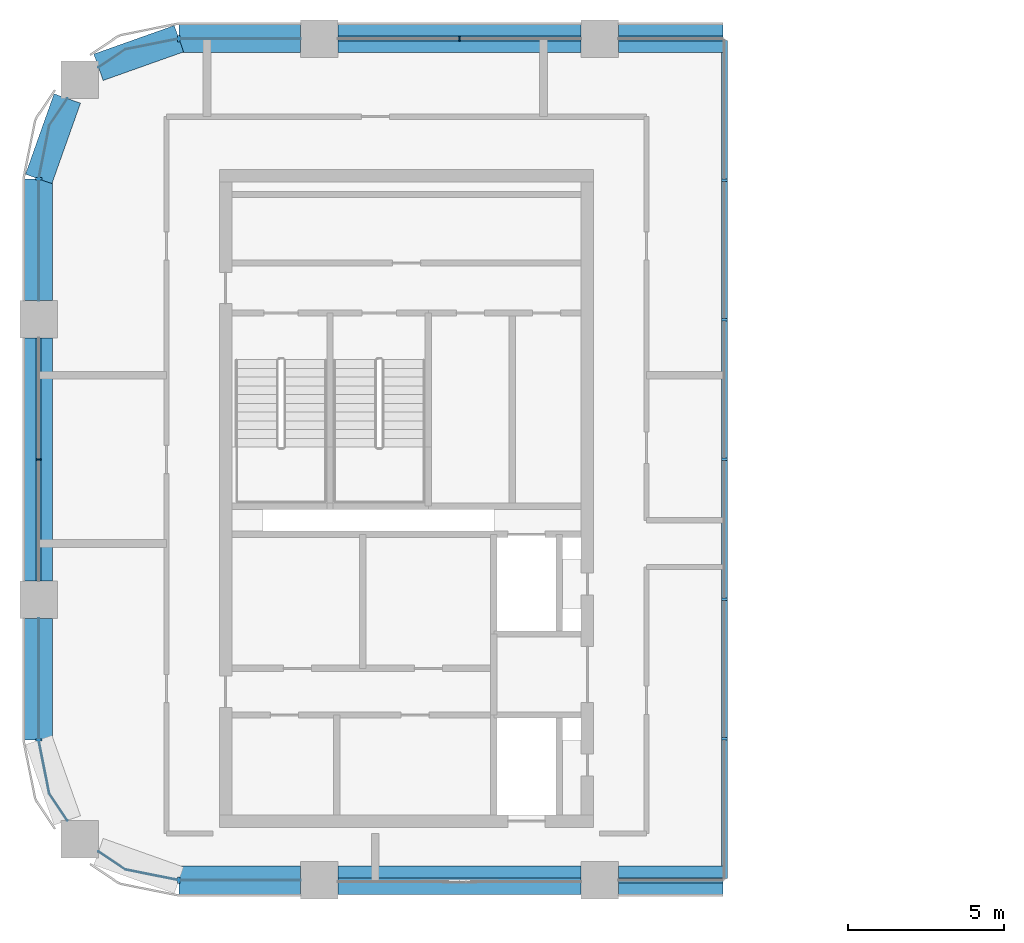
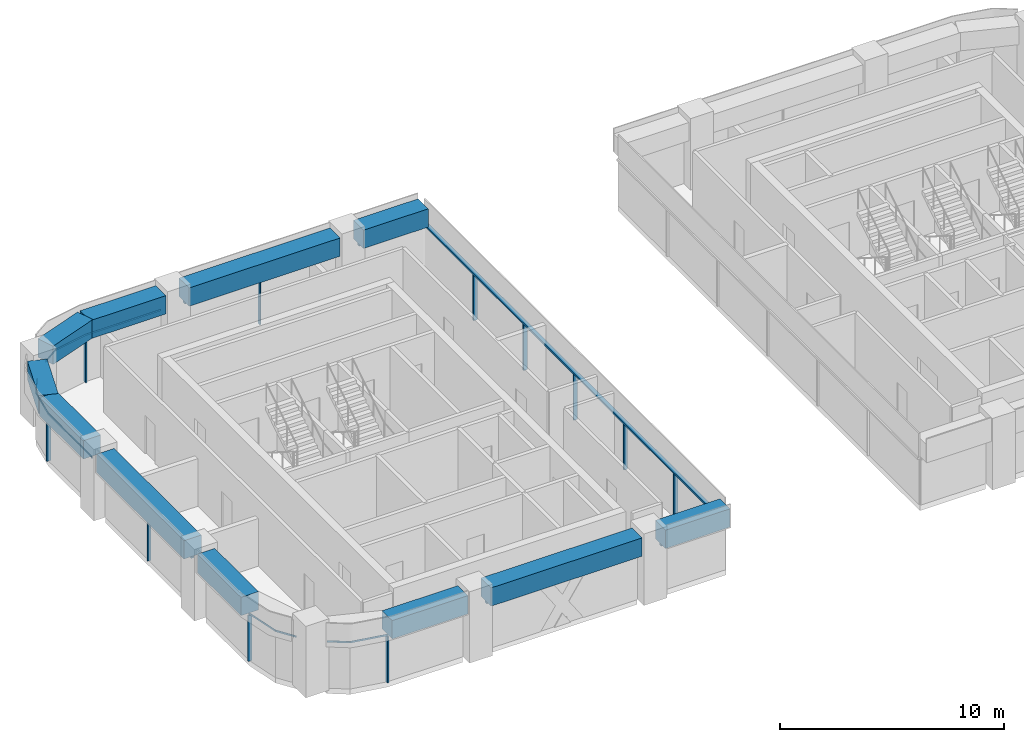
# One storey, part 2 of 12: 21 members, 11 beams, 10 elements without a shape of their own.
"""IFC4 building model written with IfcOpenShell, lengths in metres."""

from ifc_helpers import new_model, si_unit, direction, frame, origin, origin_2d, place, context, subcontext, project, spatial, polyline, rectangle, outline, extrude, material, material_profile, profile_set, type_object, element, aggregate, save


model = new_model("IFC4")

# Units and contexts
model_context = context("Model", 3, precision=1e-05, world=origin(), true_north=direction((0.0, 1.0)))
body_context = subcontext(model_context, "Body", "Model", "MODEL_VIEW")
ifc_project = project(units=[si_unit("LENGTHUNIT", "METRE"), si_unit("AREAUNIT", "SQUARE_METRE"), si_unit("VOLUMEUNIT", "CUBIC_METRE"), si_unit("PLANEANGLEUNIT", "RADIAN"), si_unit("MASSUNIT", "GRAM", prefix="KILO")], contexts=[model_context])

# Site, building, storey
site_placement = place(None, origin())
site = spatial("IfcSite", under=ifc_project, at=site_placement, CompositionType="ELEMENT")
building_placement = place(site_placement, origin())
building = spatial("IfcBuilding", under=site, at=building_placement, Name="Tessera Arch", CompositionType="ELEMENT")
storey_placement = place(building_placement, frame((0.0, 0.0, 207.199951171875)))
storey = spatial("IfcBuildingStorey", under=building, at=storey_placement, Name="L49", CompositionType="ELEMENT", Elevation=207.199951171875)

# Curtain wall, member
ifc_material_1 = material(Name="CW1 curtain wall")
curtain_wall_type_1 = type_object("IfcCurtainWallType", Name="CW1 curtain wall", PredefinedType="NOTDEFINED", material=ifc_material_1)
curtain_wall_1_placement = place(storey_placement, origin())
curtain_wall_1 = element("IfcCurtainWall", 1, at=curtain_wall_1_placement, inside=storey, type_object=curtain_wall_type_1, Name="CW1 curtain wall N54.0/1 L49", PredefinedType="NOTDEFINED")
ifc_material_2 = material(Name="Anodised aluminium pale metal", Category="aluminium")
ifc_material_profile_1 = material_profile(ifc_material_2, rectangle(XDim=0.159912109375, YDim=0.06005859375, at=origin_2d()), Name="AL 60x160")
ifc_profile_set_1 = profile_set([ifc_material_profile_1], Name="Anodised aluminium pale metal")
member_type_1 = type_object("IfcMemberType", Name="CW1 mullion", PredefinedType="MULLION", material=ifc_profile_set_1)
member_1_placement = place(storey_placement, frame((13.5, 54.0, 0.0), z_axis=(0.0, 0.0, 1.0), x_axis=(0.0, -1.0, 0.0)))
member_1 = element("IfcMember", 2, at=member_1_placement, type_object=member_type_1, Name="CW1 mullion N54.0/1 1", PredefinedType="MULLION", context=body_context, shape_type="SweptSolid", body=[
    extrude(rectangle(XDim=0.159912109375, YDim=0.06005859375, at=origin_2d()), origin(), (0.0, 0.0, 1.0), 2.5),
])

curtain_wall_2_placement = place(storey_placement, origin())
curtain_wall_2 = element("IfcCurtainWall", 3, at=curtain_wall_2_placement, inside=storey, type_object=curtain_wall_type_1, Name="CW1 curtain wall W0.27/1 L49", PredefinedType="NOTDEFINED")
member_2_placement = place(storey_placement, frame((0.0, 40.5, 0.0), z_axis=(0.0, 0.0, 1.0), x_axis=(1.0, 0.0, 0.0)))
member_2 = element("IfcMember", 4, at=member_2_placement, type_object=member_type_1, Name="CW1 mullion W0.27/1 1", PredefinedType="MULLION", context=body_context, shape_type="SweptSolid", body=[
    extrude(rectangle(XDim=0.159912109375, YDim=0.06005859375, at=origin_2d()), origin(), (0.0, 0.0, 1.0), 2.5),
])

curtain_wall_3_placement = place(storey_placement, origin())
curtain_wall_3 = element("IfcCurtainWall", 5, at=curtain_wall_3_placement, inside=storey, type_object=curtain_wall_type_1, Name="CW1 curtain wall S27.0/1 L49", PredefinedType="NOTDEFINED")
ifc_material_3 = material(Name="Anodised aluminium pale metal", Category="aluminium")
ifc_material_profile_2 = material_profile(ifc_material_3, rectangle(XDim=0.159912109375, YDim=0.10009765625, at=origin_2d()), Name="AL 160x100")
ifc_profile_set_2 = profile_set([ifc_material_profile_2], Name="Anodised aluminium pale metal")
member_type_2 = type_object("IfcMemberType", Name="CW1 transom", PredefinedType="USERDEFINED", material=ifc_profile_set_2)
member_3_placement = place(storey_placement, frame((18.60009765625, 27.0, 2.550048828125), z_axis=(1.0, 0.0, 0.0), x_axis=(0.0, 1.0, 0.0)))
member_3 = element("IfcMember", 6, at=member_3_placement, type_object=member_type_2, Name="CW1 transom S27.0/1 1.1", ObjectType="TRANSOM", PredefinedType="USERDEFINED", context=body_context, shape_type="SweptSolid", body=[
    extrude(rectangle(XDim=0.159912109375, YDim=0.10009765625, at=origin_2d()), origin(), (0.0, 0.0, 1.0), 3.349853515625),
])
aggregate(curtain_wall_3, [member_3])

curtain_wall_4_placement = place(storey_placement, origin())
curtain_wall_4 = element("IfcCurtainWall", 7, at=curtain_wall_4_placement, inside=storey, type_object=curtain_wall_type_1, Name="CW1 curtain wall N54.0/0 L49", PredefinedType="NOTDEFINED")
member_4_placement = place(storey_placement, frame((21.949951171875, 54.0, 2.550048828125), z_axis=(-1.0, 0.0, 0.0), x_axis=(0.0, -1.0, 0.0)))
member_4 = element("IfcMember", 8, at=member_4_placement, type_object=member_type_2, Name="CW1 transom N54.0/0 1.1", ObjectType="TRANSOM", PredefinedType="USERDEFINED", context=body_context, shape_type="SweptSolid", body=[
    extrude(rectangle(XDim=0.159912109375, YDim=0.10009765625, at=origin_2d()), origin(), (0.0, 0.0, 1.0), 3.349853515625),
])
aggregate(curtain_wall_4, [member_4])

# Member
member_5_placement = place(storey_placement, frame((17.39990234375, 54.0, 2.550048828125), z_axis=(-1.0, 0.0, 0.0), x_axis=(0.0, -1.0, 0.0)))
member_5 = element("IfcMember", 9, at=member_5_placement, type_object=member_type_2, Name="CW1 transom N54.0/1 1.1", ObjectType="TRANSOM", PredefinedType="USERDEFINED", context=body_context, shape_type="SweptSolid", body=[
    extrude(rectangle(XDim=0.159912109375, YDim=0.10009765625, at=origin_2d()), origin(), (0.0, 0.0, 1.0), 7.7998046875),
])

aggregate(curtain_wall_1, [member_1, member_5])

member_6_placement = place(storey_placement, frame((0.0, 44.39990234375, 2.550048828125), z_axis=(0.0, -1.0, 0.0), x_axis=(1.0, 0.0, 0.0)))
member_6 = element("IfcMember", 10, at=member_6_placement, type_object=member_type_2, Name="CW1 transom W0.27/1 1.1", ObjectType="TRANSOM", PredefinedType="USERDEFINED", context=body_context, shape_type="SweptSolid", body=[
    extrude(rectangle(XDim=0.159912109375, YDim=0.10009765625, at=origin_2d()), origin(), (0.0, 0.0, 1.0), 7.7998046875),
])

aggregate(curtain_wall_2, [member_2, member_6])

# Curtain wall, member
ifc_material_4 = material(Name="CW2 curtain wall")
curtain_wall_type_2 = type_object("IfcCurtainWallType", Name="CW2 curtain wall", PredefinedType="NOTDEFINED", material=ifc_material_4)
curtain_wall_5_placement = place(storey_placement, origin())
curtain_wall_5 = element("IfcCurtainWall", 11, at=curtain_wall_5_placement, inside=storey, type_object=curtain_wall_type_2, Name="CW2 curtain wall N54.0/2 L49", PredefinedType="NOTDEFINED")
ifc_material_5 = material(Name="Anodised aluminium pale metal", Category="aluminium")
ifc_material_profile_3 = material_profile(ifc_material_5, rectangle(XDim=0.199951171875, YDim=0.080078125, at=origin_2d()), Name="AL 80x200")
ifc_profile_set_3 = profile_set([ifc_material_profile_3], Name="Anodised aluminium pale metal")
member_type_3 = type_object("IfcMemberType", Name="CW2 mullion", PredefinedType="MULLION", material=ifc_profile_set_3)
member_7_placement = place(storey_placement, frame((4.5, 54.0, 0.0), z_axis=(0.0, 0.0, 1.0), x_axis=(0.0, -1.0, 0.0)))
member_7 = element("IfcMember", 12, at=member_7_placement, type_object=member_type_3, Name="CW2 mullion N54.0/2 1", PredefinedType="MULLION", context=body_context, shape_type="SweptSolid", body=[
    extrude(rectangle(XDim=0.199951171875, YDim=0.080078125, at=origin_2d()), origin(), (0.0, 0.0, 1.0), 2.5),
])

curtain_wall_6_placement = place(storey_placement, origin())
curtain_wall_6 = element("IfcCurtainWall", 13, at=curtain_wall_6_placement, inside=storey, type_object=curtain_wall_type_2, Name="CW2 curtain wall W0.27/0 L49", PredefinedType="NOTDEFINED")
member_8_placement = place(storey_placement, frame((0.0, 49.5, 0.0), z_axis=(0.0, 0.0, 1.0), x_axis=(1.0, 0.0, 0.0)))
member_8 = element("IfcMember", 14, at=member_8_placement, type_object=member_type_3, Name="CW2 mullion W0.27/0 1", PredefinedType="MULLION", context=body_context, shape_type="SweptSolid", body=[
    extrude(rectangle(XDim=0.199951171875, YDim=0.080078125, at=origin_2d()), origin(), (0.0, 0.0, 1.0), 2.5),
])

curtain_wall_7_placement = place(storey_placement, origin())
curtain_wall_7 = element("IfcCurtainWall", 15, at=curtain_wall_7_placement, inside=storey, type_object=curtain_wall_type_2, Name="CW2 curtain wall W0.27/2 L49", PredefinedType="NOTDEFINED")
member_9_placement = place(storey_placement, frame((0.0, 31.5, 0.0), z_axis=(0.0, 0.0, 1.0), x_axis=(1.0, 0.0, 0.0)))
member_9 = element("IfcMember", 16, at=member_9_placement, type_object=member_type_3, Name="CW2 mullion W0.27/2 1", PredefinedType="MULLION", context=body_context, shape_type="SweptSolid", body=[
    extrude(rectangle(XDim=0.199951171875, YDim=0.080078125, at=origin_2d()), origin(), (0.0, 0.0, 1.0), 2.5),
])

curtain_wall_8_placement = place(storey_placement, origin())
curtain_wall_8 = element("IfcCurtainWall", 17, at=curtain_wall_8_placement, inside=storey, type_object=curtain_wall_type_2, Name="CW2 curtain wall S27.0/2 L49", PredefinedType="NOTDEFINED")
member_10_placement = place(storey_placement, frame((4.5, 27.0, 0.0), z_axis=(0.0, 0.0, 1.0), x_axis=(0.0, 1.0, 0.0)))
member_10 = element("IfcMember", 18, at=member_10_placement, type_object=member_type_3, Name="CW2 mullion S27.0/2 1", PredefinedType="MULLION", context=body_context, shape_type="SweptSolid", body=[
    extrude(rectangle(XDim=0.199951171875, YDim=0.080078125, at=origin_2d()), origin(), (0.0, 0.0, 1.0), 2.5),
])

# Member
ifc_material_6 = material(Name="Anodised aluminium pale metal", Category="aluminium")
ifc_material_profile_4 = material_profile(ifc_material_6, rectangle(XDim=0.199951171875, YDim=0.10009765625, at=origin_2d()), Name="AL 200x100")
ifc_profile_set_4 = profile_set([ifc_material_profile_4], Name="Anodised aluminium pale metal")
member_type_4 = type_object("IfcMemberType", Name="CW2 transom", PredefinedType="USERDEFINED", material=ifc_profile_set_4)
member_11_placement = place(storey_placement, frame((0.0, 0.0, 2.5)))
member_11 = element("IfcMember", 19, at=member_11_placement, type_object=member_type_4, Name="CW2 transom N54.0/2 1", ObjectType="TRANSOM", PredefinedType="USERDEFINED", context=body_context, shape_type="SweptSolid", body=[
    extrude(outline(polyline([(4.5009765625, 53.989990234375), (8.39990234375, 53.989990234375), (8.39990234375, 54.010009765625), (4.4990234375, 54.010009765625), (2.77392578125, 53.6669921875), (1.912353515625, 53.09130859375), (1.923583984375, 53.07470703125), (2.78173828125, 53.648193359375), (4.5009765625, 53.989990234375)])), origin(), (0.0, 0.0, 1.0), 0.10009765625),
])

aggregate(curtain_wall_5, [member_7, member_11])

member_12_placement = place(storey_placement, frame((0.0, 0.0, 2.5)))
member_12 = element("IfcMember", 20, at=member_12_placement, type_object=member_type_4, Name="CW2 transom W0.27/0 1", ObjectType="TRANSOM", PredefinedType="USERDEFINED", context=body_context, shape_type="SweptSolid", body=[
    extrude(outline(polyline([(0.351806640625, 51.21826171875), (0.92529296875, 52.076416015625), (0.90869140625, 52.087646484375), (0.3330078125, 51.22607421875), (-0.010009765625, 49.5009765625), (-0.010009765625, 45.60009765625), (0.010009765625, 45.60009765625), (0.010009765625, 49.4990234375), (0.351806640625, 51.21826171875)])), origin(), (0.0, 0.0, 1.0), 0.10009765625),
])

aggregate(curtain_wall_6, [member_8, member_12])

member_13_placement = place(storey_placement, frame((0.0, 0.0, 2.5)))
member_13 = element("IfcMember", 21, at=member_13_placement, type_object=member_type_4, Name="CW2 transom W0.27/2 1", ObjectType="TRANSOM", PredefinedType="USERDEFINED", context=body_context, shape_type="SweptSolid", body=[
    extrude(outline(polyline([(0.010009765625, 31.5009765625), (0.010009765625, 35.39990234375), (-0.010009765625, 35.39990234375), (-0.010009765625, 31.4990234375), (0.3330078125, 29.77392578125), (0.90869140625, 28.912353515625), (0.92529296875, 28.923583984375), (0.351806640625, 29.78173828125), (0.010009765625, 31.5009765625)])), origin(), (0.0, 0.0, 1.0), 0.10009765625),
])

aggregate(curtain_wall_7, [member_9, member_13])

member_14_placement = place(storey_placement, frame((0.0, 0.0, 2.5)))
member_14 = element("IfcMember", 22, at=member_14_placement, type_object=member_type_4, Name="CW2 transom S27.0/2 1", ObjectType="TRANSOM", PredefinedType="USERDEFINED", context=body_context, shape_type="SweptSolid", body=[
    extrude(outline(polyline([(2.78173828125, 27.351806640625), (1.923583984375, 27.92529296875), (1.912353515625, 27.90869140625), (2.77392578125, 27.3330078125), (4.4990234375, 26.989990234375), (8.39990234375, 26.989990234375), (8.39990234375, 27.010009765625), (4.5009765625, 27.010009765625), (2.78173828125, 27.351806640625)])), origin(), (0.0, 0.0, 1.0), 0.10009765625),
])

aggregate(curtain_wall_8, [member_10, member_14])

# Curtain wall, member
ifc_material_7 = material(Name="CW3 curtain wall")
curtain_wall_type_3 = type_object("IfcCurtainWallType", Name="CW3 curtain wall", PredefinedType="NOTDEFINED", material=ifc_material_7)
curtain_wall_9_placement = place(storey_placement, origin())
curtain_wall_9 = element("IfcCurtainWall", 23, at=curtain_wall_9_placement, inside=storey, type_object=curtain_wall_type_3, Name="CW3 curtain wall S27.0/0 L49", PredefinedType="NOTDEFINED")
ifc_material_8 = material(Name="Anodised aluminium pale metal", Category="aluminium")
ifc_material_profile_5 = material_profile(ifc_material_8, rectangle(XDim=0.139892578125, YDim=0.10009765625, at=origin_2d()), Name="AL 140x100")
ifc_profile_set_5 = profile_set([ifc_material_profile_5], Name="Anodised aluminium pale metal")
member_type_5 = type_object("IfcMemberType", Name="CW3 transom", PredefinedType="USERDEFINED", material=ifc_profile_set_5)
member_15_placement = place(storey_placement, frame((9.60009765625, 27.0, 2.550048828125), z_axis=(1.0, 0.0, 0.0), x_axis=(0.0, 1.0, 0.0)))
member_15 = element("IfcMember", 24, at=member_15_placement, type_object=member_type_5, Name="CW3 transom S27.0/0 1.1", ObjectType="TRANSOM", PredefinedType="USERDEFINED", context=body_context, shape_type="SweptSolid", body=[
    extrude(rectangle(XDim=0.139892578125, YDim=0.10009765625, at=origin_2d()), origin(), (0.0, 0.0, 1.0), 7.7998046875),
])
aggregate(curtain_wall_9, [member_15])

# Curtain wall, members
ifc_material_9 = material(Name="CW5 curtain wall")
curtain_wall_type_4 = type_object("IfcCurtainWallType", Name="CW5 curtain wall", PredefinedType="NOTDEFINED", material=ifc_material_9)
curtain_wall_10_placement = place(storey_placement, origin())
curtain_wall_10 = element("IfcCurtainWall", 25, at=curtain_wall_10_placement, inside=storey, type_object=curtain_wall_type_4, Name="CW5 curtain wall E22.27/0 L49", PredefinedType="NOTDEFINED")
ifc_material_10 = material(Name="Anodised aluminium pale metal", Category="aluminium")
ifc_material_profile_6 = material_profile(ifc_material_10, rectangle(XDim=0.199951171875, YDim=0.080078125, at=origin_2d()), Name="AL 80x200")
ifc_profile_set_6 = profile_set([ifc_material_profile_6], Name="Anodised aluminium pale metal")
member_type_6 = type_object("IfcMemberType", Name="CW5 mullion", PredefinedType="MULLION", material=ifc_profile_set_6)
member_16_placement = place(storey_placement, frame((22.0, 31.533447265625, 0.0), z_axis=(0.0, 0.0, 1.0), x_axis=(-1.0, 0.0, 0.0)))
member_16 = element("IfcMember", 26, at=member_16_placement, type_object=member_type_6, Name="CW5 mullion E22.27/0 1", PredefinedType="MULLION", context=body_context, shape_type="SweptSolid", body=[
    extrude(rectangle(XDim=0.199951171875, YDim=0.080078125, at=origin_2d()), origin(), (0.0, 0.0, 1.0), 2.5),
])
member_17_placement = place(storey_placement, frame((22.0, 36.0166015625, 0.0), z_axis=(0.0, 0.0, 1.0), x_axis=(-1.0, 0.0, 0.0)))
member_17 = element("IfcMember", 27, at=member_17_placement, type_object=member_type_6, Name="CW5 mullion E22.27/0 2", PredefinedType="MULLION", context=body_context, shape_type="SweptSolid", body=[
    extrude(rectangle(XDim=0.199951171875, YDim=0.080078125, at=origin_2d()), origin(), (0.0, 0.0, 1.0), 2.5),
])
member_18_placement = place(storey_placement, frame((22.0, 40.5, 0.0), z_axis=(0.0, 0.0, 1.0), x_axis=(-1.0, 0.0, 0.0)))
member_18 = element("IfcMember", 28, at=member_18_placement, type_object=member_type_6, Name="CW5 mullion E22.27/0 3", PredefinedType="MULLION", context=body_context, shape_type="SweptSolid", body=[
    extrude(rectangle(XDim=0.199951171875, YDim=0.080078125, at=origin_2d()), origin(), (0.0, 0.0, 1.0), 2.5),
])
member_19_placement = place(storey_placement, frame((22.0, 44.9833984375, 0.0), z_axis=(0.0, 0.0, 1.0), x_axis=(-1.0, 0.0, 0.0)))
member_19 = element("IfcMember", 29, at=member_19_placement, type_object=member_type_6, Name="CW5 mullion E22.27/0 4", PredefinedType="MULLION", context=body_context, shape_type="SweptSolid", body=[
    extrude(rectangle(XDim=0.199951171875, YDim=0.080078125, at=origin_2d()), origin(), (0.0, 0.0, 1.0), 2.5),
])
member_20_placement = place(storey_placement, frame((22.0, 49.466552734375, 0.0), z_axis=(0.0, 0.0, 1.0), x_axis=(-1.0, 0.0, 0.0)))
member_20 = element("IfcMember", 30, at=member_20_placement, type_object=member_type_6, Name="CW5 mullion E22.27/0 5", PredefinedType="MULLION", context=body_context, shape_type="SweptSolid", body=[
    extrude(rectangle(XDim=0.199951171875, YDim=0.080078125, at=origin_2d()), origin(), (0.0, 0.0, 1.0), 2.5),
])
ifc_material_11 = material(Name="Anodised aluminium pale metal", Category="aluminium")
ifc_material_profile_7 = material_profile(ifc_material_11, rectangle(XDim=0.199951171875, YDim=0.10009765625, at=origin_2d()), Name="AL 200x100")
ifc_profile_set_7 = profile_set([ifc_material_profile_7], Name="Anodised aluminium pale metal")
member_type_7 = type_object("IfcMemberType", Name="CW5 transom", PredefinedType="USERDEFINED", material=ifc_profile_set_7)
member_21_placement = place(storey_placement, frame((22.0, 27.050048828125, 2.550048828125), z_axis=(0.0, 1.0, 0.0), x_axis=(-1.0, 0.0, 0.0)))
member_21 = element("IfcMember", 31, at=member_21_placement, type_object=member_type_7, Name="CW5 transom E22.27/0 1.1", ObjectType="TRANSOM", PredefinedType="USERDEFINED", context=body_context, shape_type="SweptSolid", body=[
    extrude(rectangle(XDim=0.199951171875, YDim=0.10009765625, at=origin_2d()), origin(), (0.0, 0.0, 1.0), 26.89990234375),
])
aggregate(curtain_wall_10, [member_16, member_17, member_18, member_19, member_20, member_21])

# Beams
ifc_material_12 = material(Name="Concrete C60/75", Category="concrete")
ifc_material_profile_8 = material_profile(ifc_material_12, rectangle(XDim=0.89990234375, YDim=1.0, at=origin_2d()), Name="RC spandrel beam 900 x 1000 Concrete C60/75")
ifc_profile_set_8 = profile_set([ifc_material_profile_8], Name="Concrete C60/75")
beam_type = type_object("IfcBeamType", Name="RC spandrel beam 900 x 1000 Concrete C60/75", PredefinedType="BEAM", material=ifc_profile_set_8)
beam_1_placement = place(storey_placement, frame((9.60009765625, 27.0, 3.10009765625), z_axis=(1.0, 0.0, 0.0), x_axis=(0.0, 1.0, 0.0)))
element("IfcBeam", 32, at=beam_1_placement, inside=storey, type_object=beam_type, Name="Spandrel beam L49 S27.0/0", PredefinedType="BEAM", context=body_context, shape_type="SweptSolid", body=[
    extrude(rectangle(XDim=0.89990234375, YDim=1.0, at=origin_2d()), origin(), (0.0, 0.0, 1.0), 7.7998046875),
])
for number, where, z_axis, x_axis, name in (
    (33, (18.60009765625, 27.0, 3.10009765625), (1.0, 0.0, 0.0), (0.0, 1.0, 0.0), "Spandrel beam L49 S27.0/1"),
    (34, (21.949951171875, 54.0, 3.10009765625), (-1.0, 0.0, 0.0), (0.0, -1.0, 0.0), "Spandrel beam L49 N54.0/0"),
):
    element("IfcBeam", number, at=place(storey_placement, frame(where, z_axis=z_axis, x_axis=x_axis)), inside=storey, type_object=beam_type, Name=name, PredefinedType="BEAM", context=body_context, shape_type="SweptSolid", body=[
        extrude(rectangle(XDim=0.89990234375, YDim=1.0, at=origin_2d()), origin(), (0.0, 0.0, 1.0), 3.349853515625),
    ])
beam_2_placement = place(storey_placement, frame((17.39990234375, 54.0, 3.10009765625), z_axis=(-1.0, 0.0, 0.0), x_axis=(0.0, -1.0, 0.0)))
element("IfcBeam", 35, at=beam_2_placement, inside=storey, type_object=beam_type, Name="Spandrel beam L49 N54.0/1", PredefinedType="BEAM", context=body_context, shape_type="SweptSolid", body=[
    extrude(rectangle(XDim=0.89990234375, YDim=1.0, at=origin_2d()), origin(), (0.0, 0.0, 1.0), 7.7998046875),
])
beam_3_placement = place(storey_placement, frame((8.39990234375, 54.0, 3.10009765625), z_axis=(-1.0, 0.0, 0.0), x_axis=(0.0, -1.0, 0.0)))
element("IfcBeam", 36, at=beam_3_placement, inside=storey, type_object=beam_type, Name="Spandrel beam L49 N54.0/2.1", PredefinedType="BEAM", context=body_context, shape_type="SweptSolid", body=[
    extrude(rectangle(XDim=0.89990234375, YDim=1.0, at=origin_2d()), origin(), (0.0, 0.0, 1.0), 3.89990234375),
])
for number, where, z_axis, x_axis, name in (
    (37, (4.5, 54.0, 3.10009765625), (-0.942337127159, -0.334665114373, 0.0), (0.334665114373, -0.942337127159, 0.0), "Spandrel beam L49 N54.0/2.2"),
    (38, (0.9169921875, 52.08203125, 3.10009765625), (-0.334665114373, -0.942337127159, 0.0), (0.942337127159, -0.334665114373, 0.0), "Spandrel beam L49 W0.27/0.1"),
):
    element("IfcBeam", number, at=place(storey_placement, frame(where, z_axis=z_axis, x_axis=x_axis)), inside=storey, type_object=beam_type, Name=name, PredefinedType="BEAM", context=body_context, shape_type="SweptSolid", body=[
        extrude(rectangle(XDim=0.89990234375, YDim=1.0, at=origin_2d()), origin(), (0.0, 0.0, 1.0), 2.739990234375),
    ])
beam_4_placement = place(storey_placement, frame((0.0, 49.5, 3.10009765625), z_axis=(0.0, -1.0, 0.0), x_axis=(1.0, 0.0, 0.0)))
element("IfcBeam", 39, at=beam_4_placement, inside=storey, type_object=beam_type, Name="Spandrel beam L49 W0.27/0.2", PredefinedType="BEAM", context=body_context, shape_type="SweptSolid", body=[
    extrude(rectangle(XDim=0.89990234375, YDim=1.0, at=origin_2d()), origin(), (0.0, 0.0, 1.0), 3.89990234375),
])
beam_5_placement = place(storey_placement, frame((0.0, 44.39990234375, 3.10009765625), z_axis=(0.0, -1.0, 0.0), x_axis=(1.0, 0.0, 0.0)))
element("IfcBeam", 40, at=beam_5_placement, inside=storey, type_object=beam_type, Name="Spandrel beam L49 W0.27/1", PredefinedType="BEAM", context=body_context, shape_type="SweptSolid", body=[
    extrude(rectangle(XDim=0.89990234375, YDim=1.0, at=origin_2d()), origin(), (0.0, 0.0, 1.0), 7.7998046875),
])
for number, where, z_axis, x_axis, name in (
    (41, (0.0, 35.39990234375, 3.10009765625), (0.0, -1.0, 0.0), (1.0, 0.0, 0.0), "Spandrel beam L49 W0.27/2.1"),
    (42, (4.5, 27.0, 3.10009765625), (1.0, 0.0, 0.0), (0.0, 1.0, 0.0), "Spandrel beam L49 S27.0/2.2"),
):
    element("IfcBeam", number, at=place(storey_placement, frame(where, z_axis=z_axis, x_axis=x_axis)), inside=storey, type_object=beam_type, Name=name, PredefinedType="BEAM", context=body_context, shape_type="SweptSolid", body=[
        extrude(rectangle(XDim=0.89990234375, YDim=1.0, at=origin_2d()), origin(), (0.0, 0.0, 1.0), 3.89990234375),
    ])

save(model, "model.ifc")
